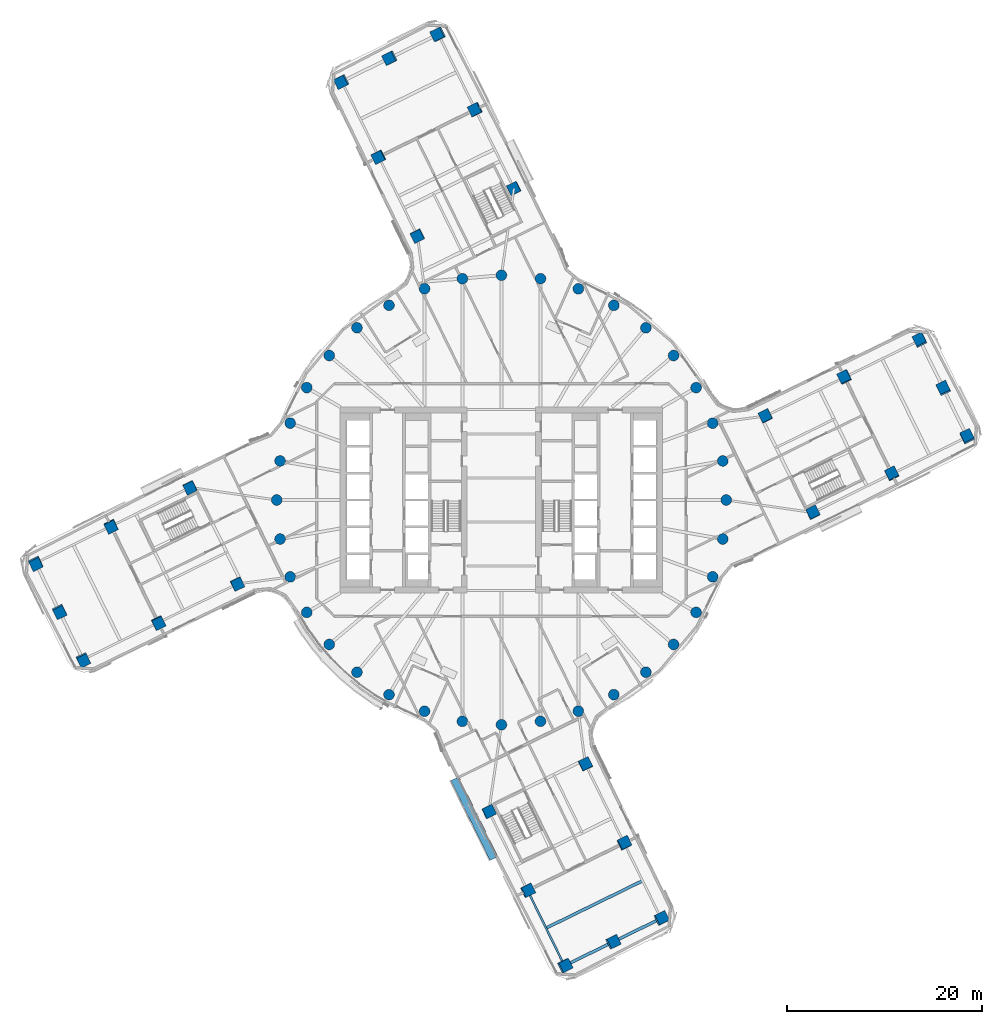
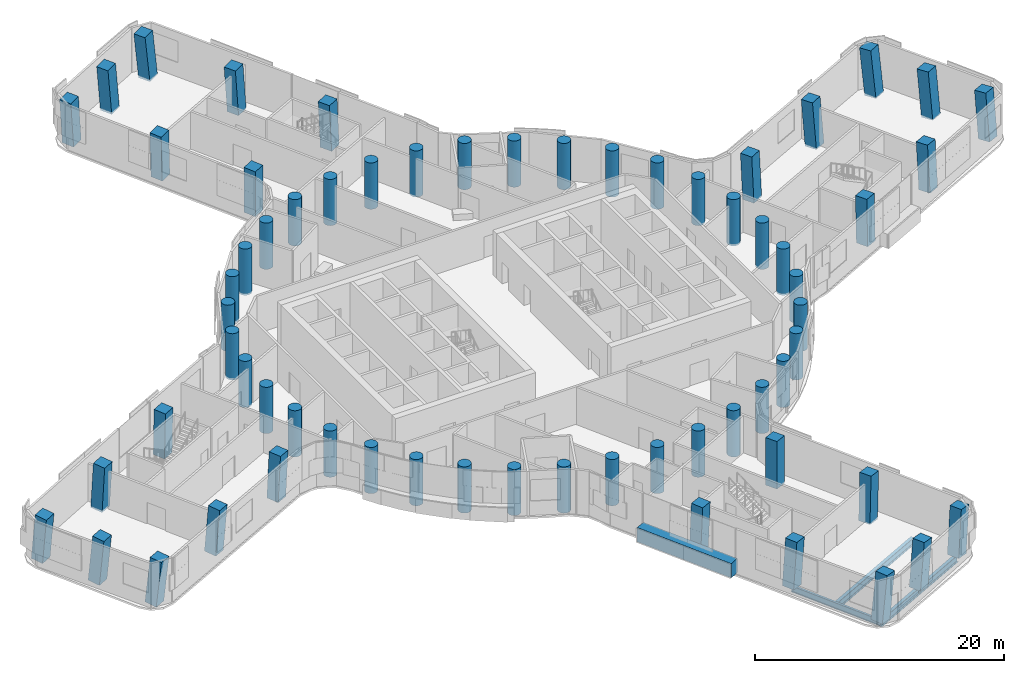
# One storey, part 1 of 23: 64 columns, 4 beams, 1 member, 1 element without a shape of its own.
"""IFC4 building model written with IfcOpenShell, lengths in metres."""

from ifc_helpers import new_model, si_unit, direction, frame, origin, origin_2d, place, context, subcontext, project, spatial, polyline, rectangle, circle, i_section, outline, extrude, material, layer, layer_set, material_profile, profile_set, type_object, element, aggregate, save


model = new_model("IFC4")

# Units and contexts
model_context = context("Model", 3, precision=1e-05, world=origin(), true_north=direction((0.0, 1.0)))
body_context = subcontext(model_context, "Body", "Model", "MODEL_VIEW")
ifc_project = project(units=[si_unit("LENGTHUNIT", "METRE"), si_unit("AREAUNIT", "SQUARE_METRE"), si_unit("VOLUMEUNIT", "CUBIC_METRE"), si_unit("PLANEANGLEUNIT", "RADIAN"), si_unit("MASSUNIT", "GRAM", prefix="KILO")], contexts=[model_context])

# Site, building, storey
site_placement = place(None, origin())
site = spatial("IfcSite", under=ifc_project, at=site_placement, CompositionType="ELEMENT")
building_placement = place(site_placement, origin())
building = spatial("IfcBuilding", under=site, at=building_placement, Name="Tamarind Cross Interchange Tower", CompositionType="ELEMENT")
storey_placement = place(building_placement, frame((0.0, 0.0, 128.5)))
storey = spatial("IfcBuildingStorey", under=building, at=storey_placement, Name="L31", CompositionType="ELEMENT", Elevation=128.5)

# Columns
ifc_material_1 = material(Name="Concrete C65", Category="concrete")
ifc_material_profile_1 = material_profile(ifc_material_1, rectangle(XDim=1.10009765625, YDim=1.10009765625, at=origin_2d()), Name="RC 1100x1100")
ifc_profile_set_1 = profile_set([ifc_material_profile_1], Name="Concrete C65")
column_type_1 = type_object("IfcColumnType", Name="Column RC 1100x1100 Concrete C65", PredefinedType="COLUMN", material=ifc_profile_set_1)
for number, where, z_axis, x_axis, name in (
    (1, (35.111572265625, 12.554931640625, -0.173583984375), (-0.0507738991, 0.052064760942, 0.997352130312), (0.438527204823, -0.896057388024, 0.069101722103), "Column L31-036"),
    (2, (39.95458984375, 2.678466796875, -0.173095703125), (-0.011402585225, 0.071857801227, 0.997349706699), (-0.897913800765, -0.439650311554, 0.021410510191), "Column L31-037"),
):
    element("IfcColumn", number, at=place(storey_placement, frame(where, z_axis=z_axis, x_axis=x_axis)), inside=storey, type_object=column_type_1, Name=name, PredefinedType="COLUMN", context=body_context, shape_type="SweptSolid", body=[
        extrude(rectangle(XDim=1.10009765625, YDim=1.10009765625, at=origin_2d()), origin(), (0.0, 0.0, 1.0), 4.5390625),
    ])
column_1_placement = place(storey_placement, frame((27.03076171875, 8.592529296875, -0.175537109375), z_axis=(-0.034670563609, 0.019865586913, 0.999201336306), x_axis=(0.439917045338, -0.897427963586, 0.033106546108)))
element("IfcColumn", 3, at=column_1_placement, inside=storey, type_object=column_type_1, Name="Column L31-038", PredefinedType="COLUMN", context=body_context, shape_type="SweptSolid", body=[
    extrude(rectangle(XDim=1.10009765625, YDim=1.10009765625, at=origin_2d()), origin(), (0.0, 0.0, 1.0), 4.534912109375),
])
column_2_placement = place(storey_placement, frame((31.873779296875, -1.283935546875, -0.175537109375), z_axis=(0.004791169749, 0.039675192191, 0.999201142822), x_axis=(-0.897803468295, -0.43985791276, 0.021770367458)))
element("IfcColumn", 4, at=column_2_placement, inside=storey, type_object=column_type_1, Name="Column L31-039", PredefinedType="COLUMN", context=body_context, shape_type="SweptSolid", body=[
    extrude(rectangle(XDim=1.10009765625, YDim=1.10009765625, at=origin_2d()), origin(), (0.0, 0.0, 1.0), 4.53515625),
])
column_3_placement = place(storey_placement, frame((47.65869140625, 6.456787109375, -0.170654296875), z_axis=(-0.016691478042, 0.107340694803, 0.994082174571), x_axis=(-0.898142041608, -0.438519643554, 0.032270657173)))
element("IfcColumn", 5, at=column_3_placement, inside=storey, type_object=column_type_1, Name="Column L31-040", PredefinedType="COLUMN", context=body_context, shape_type="SweptSolid", body=[
    extrude(rectangle(XDim=1.10009765625, YDim=1.10009765625, at=origin_2d()), origin(), (0.0, 0.0, 1.0), 4.548828125),
])
column_4_placement = place(storey_placement, frame((45.237060546875, 11.394775390625, -0.171875), z_axis=(-0.036332874854, 0.097567454187, 0.994565490095), x_axis=(-0.898109998916, -0.439649762266, 0.010320677667)))
element("IfcColumn", 6, at=column_4_placement, inside=storey, type_object=column_type_1, Name="Column L31-041", PredefinedType="COLUMN", context=body_context, shape_type="SweptSolid", body=[
    extrude(rectangle(XDim=1.10009765625, YDim=1.10009765625, at=origin_2d()), origin(), (0.0, 0.0, 1.0), 4.549072265625),
])
column_5_placement = place(storey_placement, frame((42.815673828125, 16.3330078125, -0.172119140625), z_axis=(-0.055978610852, 0.087698034643, 0.994572998752), x_axis=(0.437365726598, -0.89332100116, 0.103386701675)))
element("IfcColumn", 7, at=column_5_placement, inside=storey, type_object=column_type_1, Name="Column L31-042", PredefinedType="COLUMN", context=body_context, shape_type="SweptSolid", body=[
    extrude(rectangle(XDim=1.10009765625, YDim=1.10009765625, at=origin_2d()), origin(), (0.0, 0.0, 1.0), 4.548828125),
])
for number, where, z_axis, x_axis, name in (
    (8, (-12.554931640625, 35.111572265625, -0.173583984375), (-0.052064760942, -0.0507738991, 0.997352130312), (0.896057388024, 0.438527204823, 0.069101722103), "Column L31-043"),
    (9, (-2.678466796875, 39.95458984375, -0.173095703125), (-0.071857801227, -0.011402585225, 0.997349706699), (0.439650311554, -0.897913800765, 0.021410510191), "Column L31-044"),
):
    element("IfcColumn", number, at=place(storey_placement, frame(where, z_axis=z_axis, x_axis=x_axis)), inside=storey, type_object=column_type_1, Name=name, PredefinedType="COLUMN", context=body_context, shape_type="SweptSolid", body=[
        extrude(rectangle(XDim=1.10009765625, YDim=1.10009765625, at=origin_2d()), origin(), (0.0, 0.0, 1.0), 4.5390625),
    ])
column_6_placement = place(storey_placement, frame((-8.592529296875, 27.03076171875, -0.175537109375), z_axis=(-0.019865586913, -0.034670563609, 0.999201336306), x_axis=(0.897427963586, 0.439917045338, 0.033106546108)))
element("IfcColumn", 10, at=column_6_placement, inside=storey, type_object=column_type_1, Name="Column L31-045", PredefinedType="COLUMN", context=body_context, shape_type="SweptSolid", body=[
    extrude(rectangle(XDim=1.10009765625, YDim=1.10009765625, at=origin_2d()), origin(), (0.0, 0.0, 1.0), 4.534912109375),
])
column_7_placement = place(storey_placement, frame((1.283935546875, 31.873779296875, -0.175537109375), z_axis=(-0.039675192191, 0.004791169749, 0.999201142822), x_axis=(0.43985791276, -0.897803468295, 0.021770367458)))
element("IfcColumn", 11, at=column_7_placement, inside=storey, type_object=column_type_1, Name="Column L31-046", PredefinedType="COLUMN", context=body_context, shape_type="SweptSolid", body=[
    extrude(rectangle(XDim=1.10009765625, YDim=1.10009765625, at=origin_2d()), origin(), (0.0, 0.0, 1.0), 4.53515625),
])
column_8_placement = place(storey_placement, frame((-6.456787109375, 47.65869140625, -0.170654296875), z_axis=(-0.107340694803, -0.016691478042, 0.994082174571), x_axis=(0.438519643554, -0.898142041608, 0.032270657173)))
element("IfcColumn", 12, at=column_8_placement, inside=storey, type_object=column_type_1, Name="Column L31-047", PredefinedType="COLUMN", context=body_context, shape_type="SweptSolid", body=[
    extrude(rectangle(XDim=1.10009765625, YDim=1.10009765625, at=origin_2d()), origin(), (0.0, 0.0, 1.0), 4.548828125),
])
column_9_placement = place(storey_placement, frame((-11.394775390625, 45.237060546875, -0.171875), z_axis=(-0.097567454187, -0.036332874854, 0.994565490095), x_axis=(0.439649762266, -0.898109998916, 0.010320677667)))
element("IfcColumn", 13, at=column_9_placement, inside=storey, type_object=column_type_1, Name="Column L31-048", PredefinedType="COLUMN", context=body_context, shape_type="SweptSolid", body=[
    extrude(rectangle(XDim=1.10009765625, YDim=1.10009765625, at=origin_2d()), origin(), (0.0, 0.0, 1.0), 4.549072265625),
])
column_10_placement = place(storey_placement, frame((-16.3330078125, 42.815673828125, -0.172119140625), z_axis=(-0.087698034643, -0.055978610852, 0.994572998752), x_axis=(0.89332100116, 0.437365726598, 0.103386701675)))
element("IfcColumn", 14, at=column_10_placement, inside=storey, type_object=column_type_1, Name="Column L31-049", PredefinedType="COLUMN", context=body_context, shape_type="SweptSolid", body=[
    extrude(rectangle(XDim=1.10009765625, YDim=1.10009765625, at=origin_2d()), origin(), (0.0, 0.0, 1.0), 4.548828125),
])
for number, where, z_axis, x_axis, name in (
    (15, (-35.111572265625, -12.554931640625, -0.173583984375), (0.0507738991, -0.052064760942, 0.997352130312), (-0.438527204823, 0.896057388024, 0.069101722103), "Column L31-050"),
    (16, (-39.95458984375, -2.678466796875, -0.173095703125), (0.011402585225, -0.071857801227, 0.997349706699), (0.897913800765, 0.439650311554, 0.021410510191), "Column L31-051"),
):
    element("IfcColumn", number, at=place(storey_placement, frame(where, z_axis=z_axis, x_axis=x_axis)), inside=storey, type_object=column_type_1, Name=name, PredefinedType="COLUMN", context=body_context, shape_type="SweptSolid", body=[
        extrude(rectangle(XDim=1.10009765625, YDim=1.10009765625, at=origin_2d()), origin(), (0.0, 0.0, 1.0), 4.5390625),
    ])
column_11_placement = place(storey_placement, frame((-27.03076171875, -8.592529296875, -0.175537109375), z_axis=(0.034670563609, -0.019865586913, 0.999201336306), x_axis=(-0.439917045338, 0.897427963586, 0.033106546108)))
element("IfcColumn", 17, at=column_11_placement, inside=storey, type_object=column_type_1, Name="Column L31-052", PredefinedType="COLUMN", context=body_context, shape_type="SweptSolid", body=[
    extrude(rectangle(XDim=1.10009765625, YDim=1.10009765625, at=origin_2d()), origin(), (0.0, 0.0, 1.0), 4.534912109375),
])
column_12_placement = place(storey_placement, frame((-31.873779296875, 1.283935546875, -0.175537109375), z_axis=(-0.004791169749, -0.039675192191, 0.999201142822), x_axis=(0.897803468295, 0.43985791276, 0.021770367458)))
element("IfcColumn", 18, at=column_12_placement, inside=storey, type_object=column_type_1, Name="Column L31-053", PredefinedType="COLUMN", context=body_context, shape_type="SweptSolid", body=[
    extrude(rectangle(XDim=1.10009765625, YDim=1.10009765625, at=origin_2d()), origin(), (0.0, 0.0, 1.0), 4.53515625),
])
column_13_placement = place(storey_placement, frame((-47.65869140625, -6.456787109375, -0.170654296875), z_axis=(0.016691478042, -0.107340694803, 0.994082174571), x_axis=(0.898142041608, 0.438519643554, 0.032270657173)))
element("IfcColumn", 19, at=column_13_placement, inside=storey, type_object=column_type_1, Name="Column L31-054", PredefinedType="COLUMN", context=body_context, shape_type="SweptSolid", body=[
    extrude(rectangle(XDim=1.10009765625, YDim=1.10009765625, at=origin_2d()), origin(), (0.0, 0.0, 1.0), 4.548828125),
])
column_14_placement = place(storey_placement, frame((-45.237060546875, -11.394775390625, -0.171875), z_axis=(0.036332874854, -0.097567454187, 0.994565490095), x_axis=(0.898109998916, 0.439649762266, 0.010320677667)))
element("IfcColumn", 20, at=column_14_placement, inside=storey, type_object=column_type_1, Name="Column L31-055", PredefinedType="COLUMN", context=body_context, shape_type="SweptSolid", body=[
    extrude(rectangle(XDim=1.10009765625, YDim=1.10009765625, at=origin_2d()), origin(), (0.0, 0.0, 1.0), 4.549072265625),
])
column_15_placement = place(storey_placement, frame((-42.815673828125, -16.3330078125, -0.172119140625), z_axis=(0.055978610852, -0.087698034643, 0.994572998752), x_axis=(-0.437365726598, 0.89332100116, 0.103386701675)))
element("IfcColumn", 21, at=column_15_placement, inside=storey, type_object=column_type_1, Name="Column L31-056", PredefinedType="COLUMN", context=body_context, shape_type="SweptSolid", body=[
    extrude(rectangle(XDim=1.10009765625, YDim=1.10009765625, at=origin_2d()), origin(), (0.0, 0.0, 1.0), 4.548828125),
])
for number, where, z_axis, x_axis, name in (
    (22, (12.554931640625, -35.111572265625, -0.173583984375), (0.052064760942, 0.0507738991, 0.997352130312), (-0.896057388024, -0.438527204823, 0.069101722103), "Column L31-057"),
    (23, (2.678466796875, -39.95458984375, -0.173095703125), (0.071857801227, 0.011402585225, 0.997349706699), (-0.439650311554, 0.897913800765, 0.021410510191), "Column L31-058"),
):
    element("IfcColumn", number, at=place(storey_placement, frame(where, z_axis=z_axis, x_axis=x_axis)), inside=storey, type_object=column_type_1, Name=name, PredefinedType="COLUMN", context=body_context, shape_type="SweptSolid", body=[
        extrude(rectangle(XDim=1.10009765625, YDim=1.10009765625, at=origin_2d()), origin(), (0.0, 0.0, 1.0), 4.5390625),
    ])
column_16_placement = place(storey_placement, frame((8.592529296875, -27.03076171875, -0.175537109375), z_axis=(0.019865586913, 0.034670563609, 0.999201336306), x_axis=(-0.897427963586, -0.439917045338, 0.033106546108)))
element("IfcColumn", 24, at=column_16_placement, inside=storey, type_object=column_type_1, Name="Column L31-059", PredefinedType="COLUMN", context=body_context, shape_type="SweptSolid", body=[
    extrude(rectangle(XDim=1.10009765625, YDim=1.10009765625, at=origin_2d()), origin(), (0.0, 0.0, 1.0), 4.534912109375),
])
column_17_placement = place(storey_placement, frame((-1.283935546875, -31.873779296875, -0.175537109375), z_axis=(0.039675192191, -0.004791169749, 0.999201142822), x_axis=(-0.43985791276, 0.897803468295, 0.021770367458)))
element("IfcColumn", 25, at=column_17_placement, inside=storey, type_object=column_type_1, Name="Column L31-060", PredefinedType="COLUMN", context=body_context, shape_type="SweptSolid", body=[
    extrude(rectangle(XDim=1.10009765625, YDim=1.10009765625, at=origin_2d()), origin(), (0.0, 0.0, 1.0), 4.53515625),
])
column_18_placement = place(storey_placement, frame((6.456787109375, -47.65869140625, -0.170654296875), z_axis=(0.107340694803, 0.016691478042, 0.994082174571), x_axis=(-0.438519643554, 0.898142041608, 0.032270657173)))
element("IfcColumn", 26, at=column_18_placement, inside=storey, type_object=column_type_1, Name="Column L31-061", PredefinedType="COLUMN", context=body_context, shape_type="SweptSolid", body=[
    extrude(rectangle(XDim=1.10009765625, YDim=1.10009765625, at=origin_2d()), origin(), (0.0, 0.0, 1.0), 4.548828125),
])
column_19_placement = place(storey_placement, frame((11.394775390625, -45.237060546875, -0.171875), z_axis=(0.097567454187, 0.036332874854, 0.994565490095), x_axis=(-0.439649762266, 0.898109998916, 0.010320677667)))
element("IfcColumn", 27, at=column_19_placement, inside=storey, type_object=column_type_1, Name="Column L31-062", PredefinedType="COLUMN", context=body_context, shape_type="SweptSolid", body=[
    extrude(rectangle(XDim=1.10009765625, YDim=1.10009765625, at=origin_2d()), origin(), (0.0, 0.0, 1.0), 4.549072265625),
])
column_20_placement = place(storey_placement, frame((16.3330078125, -42.815673828125, -0.172119140625), z_axis=(0.087698034643, 0.055978610852, 0.994572998752), x_axis=(-0.89332100116, -0.437365726598, 0.103386701675)))
element("IfcColumn", 28, at=column_20_placement, inside=storey, type_object=column_type_1, Name="Column L31-063", PredefinedType="COLUMN", context=body_context, shape_type="SweptSolid", body=[
    extrude(rectangle(XDim=1.10009765625, YDim=1.10009765625, at=origin_2d()), origin(), (0.0, 0.0, 1.0), 4.548828125),
])
ifc_material_profile_2 = material_profile(ifc_material_1, circle(Radius=0.550048828125, at=origin_2d()), Name="RC D1100")
ifc_profile_set_2 = profile_set([ifc_material_profile_2], Name="Concrete C65")
column_type_2 = type_object("IfcColumnType", Name="Column RC D1100 Concrete C65", PredefinedType="COLUMN", material=ifc_profile_set_2)
for number, where, z_axis, x_axis, name in (
    (29, (23.0, 0.0, -0.179931640625), (0.0, 0.0, 1.0), (1.0, 0.0, 0.0), "Column L31-000"),
    (30, (22.650634765625, 3.993896484375, -0.179931640625), (0.0, 0.0, 1.0), (1.0, 0.0, 0.0), "Column L31-001"),
    (31, (21.613037109375, 7.866455078125, -0.179931640625), (0.0, 0.0, 1.0), (1.0, 0.0, 0.0), "Column L31-002"),
    (32, (19.918701171875, 11.5, -0.179931640625), (0.0, 0.0, 1.0), (1.0, 0.0, 0.0), "Column L31-003"),
    (33, (17.619140625, 14.7841796875, -0.179931640625), (0.0, 0.0, 1.0), (1.0, 0.0, 0.0), "Column L31-004"),
    (34, (14.7841796875, 17.619140625, -0.179931640625), (0.0, 0.0, 1.0), (1.0, 0.0, 0.0), "Column L31-005"),
    (35, (11.5, 19.918701171875, -0.179931640625), (0.0, 0.0, 1.0), (1.0, 0.0, 0.0), "Column L31-006"),
    (36, (7.866455078125, 21.613037109375, -0.179931640625), (0.0, 0.0, 1.0), (1.0, 0.0, 0.0), "Column L31-007"),
    (37, (3.993896484375, 22.650634765625, -0.179931640625), (0.0, 0.0, 1.0), (1.0, 0.0, 0.0), "Column L31-008"),
    (38, (0.0, 23.0, -0.179931640625), (0.0, 0.0, 1.0), (1.0, 0.0, 0.0), "Column L31-009"),
    (39, (-3.993896484375, 22.650634765625, -0.179931640625), (0.0, 0.0, 1.0), (1.0, 0.0, 0.0), "Column L31-010"),
    (40, (-7.866455078125, 21.613037109375, -0.179931640625), (0.0, 0.0, 1.0), (1.0, 0.0, 0.0), "Column L31-011"),
    (41, (-11.5, 19.918701171875, -0.179931640625), (0.0, 0.0, 1.0), (1.0, 0.0, 0.0), "Column L31-012"),
    (42, (-14.7841796875, 17.619140625, -0.179931640625), (0.0, 0.0, 1.0), (1.0, 0.0, 0.0), "Column L31-013"),
    (43, (-17.619140625, 14.7841796875, -0.179931640625), (0.0, 0.0, 1.0), (1.0, 0.0, 0.0), "Column L31-014"),
    (44, (-19.918701171875, 11.5, -0.179931640625), (0.0, 0.0, 1.0), (1.0, 0.0, 0.0), "Column L31-015"),
    (45, (-21.613037109375, 7.866455078125, -0.179931640625), (0.0, 0.0, 1.0), (1.0, 0.0, 0.0), "Column L31-016"),
    (46, (-22.650634765625, 3.993896484375, -0.179931640625), (0.0, 0.0, 1.0), (1.0, 0.0, 0.0), "Column L31-017"),
    (47, (-23.0, 0.0, -0.179931640625), (0.0, 0.0, 1.0), (1.0, 0.0, 0.0), "Column L31-018"),
    (48, (-22.650634765625, -3.993896484375, -0.179931640625), (0.0, 0.0, 1.0), (1.0, 0.0, 0.0), "Column L31-019"),
    (49, (-21.613037109375, -7.866455078125, -0.179931640625), (0.0, 0.0, 1.0), (1.0, 0.0, 0.0), "Column L31-020"),
    (50, (-19.918701171875, -11.5, -0.179931640625), (0.0, 0.0, 1.0), (1.0, 0.0, 0.0), "Column L31-021"),
    (51, (-17.619140625, -14.7841796875, -0.179931640625), (0.0, 0.0, 1.0), (1.0, 0.0, 0.0), "Column L31-022"),
    (52, (-14.7841796875, -17.619140625, -0.179931640625), (0.0, 0.0, 1.0), (1.0, 0.0, 0.0), "Column L31-023"),
    (53, (-11.5, -19.918701171875, -0.179931640625), (0.0, 0.0, 1.0), (1.0, 0.0, 0.0), "Column L31-024"),
    (54, (-7.866455078125, -21.613037109375, -0.179931640625), (0.0, 0.0, 1.0), (1.0, 0.0, 0.0), "Column L31-025"),
    (55, (-3.993896484375, -22.650634765625, -0.179931640625), (0.0, 0.0, 1.0), (1.0, 0.0, 0.0), "Column L31-026"),
    (56, (0.0, -23.0, -0.179931640625), (0.0, 0.0, 1.0), (1.0, 0.0, 0.0), "Column L31-027"),
    (57, (3.993896484375, -22.650634765625, -0.179931640625), (0.0, 0.0, 1.0), (1.0, 0.0, 0.0), "Column L31-028"),
    (58, (7.866455078125, -21.613037109375, -0.179931640625), (0.0, 0.0, 1.0), (1.0, 0.0, 0.0), "Column L31-029"),
    (59, (11.5, -19.918701171875, -0.179931640625), (0.0, 0.0, 1.0), (1.0, 0.0, 0.0), "Column L31-030"),
    (60, (14.7841796875, -17.619140625, -0.179931640625), (0.0, 0.0, 1.0), (1.0, 0.0, 0.0), "Column L31-031"),
    (61, (17.619140625, -14.7841796875, -0.179931640625), (0.0, 0.0, 1.0), (1.0, 0.0, 0.0), "Column L31-032"),
    (62, (19.918701171875, -11.5, -0.179931640625), (0.0, 0.0, 1.0), (1.0, 0.0, 0.0), "Column L31-033"),
    (63, (21.613037109375, -7.866455078125, -0.179931640625), (0.0, 0.0, 1.0), (1.0, 0.0, 0.0), "Column L31-034"),
    (64, (22.650634765625, -3.993896484375, -0.179931640625), (0.0, 0.0, 1.0), (1.0, 0.0, 0.0), "Column L31-035"),
):
    element("IfcColumn", number, at=place(storey_placement, frame(where, z_axis=z_axis, x_axis=x_axis)), inside=storey, type_object=column_type_2, Name=name, PredefinedType="COLUMN", context=body_context, shape_type="SweptSolid", body=[
        extrude(circle(Radius=0.550048828125, at=origin_2d()), origin(), (0.0, 0.0, 1.0), 4.5400390625),
    ])

# Beams
ifc_material_2 = material(Name="Steel Q355B", Category="steel")
ifc_material_profile_3 = material_profile(ifc_material_2, i_section(OverallWidth=0.199951171875, OverallDepth=0.60009765625, WebThickness=0.010986328125, FlangeThickness=0.01708984375, FilletRadius=0.012939453125, at=origin_2d()), Name="HN 600x200x11x17")
ifc_profile_set_3 = profile_set([ifc_material_profile_3], Name="Steel Q355B")
beam_type_1 = type_object("IfcBeamType", Name="Composite beam HN 600x200x11x17 Q355B", PredefinedType="BEAM", material=ifc_profile_set_3)
beam_1_placement = place(storey_placement, frame((6.45556640625, -47.658935546875, -0.47998046875), z_axis=(-0.440246276802, 0.897877060494, 0.0), x_axis=(-0.897877060494, -0.440246276802, 0.0)))
element("IfcBeam", 65, at=beam_1_placement, inside=storey, type_object=beam_type_1, Name="Beam S-edgeem5", PredefinedType="BEAM", context=body_context, shape_type="SweptSolid", body=[
    extrude(i_section(OverallWidth=0.199951171875, OverallDepth=0.60009765625, WebThickness=0.010986328125, FlangeThickness=0.01708984375, FilletRadius=0.012939453125, at=origin_2d()), origin(), (0.0, 0.0, 1.0), 8.58056640625),
])
ifc_material_profile_4 = material_profile(ifc_material_2, i_section(OverallWidth=0.300048828125, OverallDepth=0.699951171875, WebThickness=0.012939453125, FlangeThickness=0.02392578125, FilletRadius=0.01806640625, at=origin_2d()), Name="HN 700x300x13x24")
ifc_profile_set_4 = profile_set([ifc_material_profile_4], Name="Steel Q355B")
beam_type_2 = type_object("IfcBeamType", Name="Composite beam HN 700x300x13x24 Q355B", PredefinedType="BEAM", material=ifc_profile_set_4)
beam_2_placement = place(storey_placement, frame((6.45556640625, -47.658935546875, -0.530029296875), z_axis=(0.897880128534, 0.440240019517, 0.0), x_axis=(-0.440240019517, 0.897880128534, 0.0)))
element("IfcBeam", 66, at=beam_2_placement, inside=storey, type_object=beam_type_2, Name="Beam S-tip0", PredefinedType="BEAM", context=body_context, shape_type="SweptSolid", body=[
    extrude(i_section(OverallWidth=0.300048828125, OverallDepth=0.699951171875, WebThickness=0.012939453125, FlangeThickness=0.02392578125, FilletRadius=0.01806640625, at=origin_2d()), origin(), (0.0, 0.0, 1.0), 5.500244140625),
])
beam_3_placement = place(storey_placement, frame((11.39404296875, -45.237548828125, -0.530029296875), z_axis=(0.897871525128, 0.440257565937, 0.0), x_axis=(-0.440257565937, 0.897871525128, 0.0)))
element("IfcBeam", 67, at=beam_3_placement, inside=storey, type_object=beam_type_2, Name="Beam S-tip1", PredefinedType="BEAM", context=body_context, shape_type="SweptSolid", body=[
    extrude(i_section(OverallWidth=0.300048828125, OverallDepth=0.699951171875, WebThickness=0.012939453125, FlangeThickness=0.02392578125, FilletRadius=0.01806640625, at=origin_2d()), origin(), (0.0, 0.0, 1.0), 5.5),
])
beam_4_placement = place(storey_placement, frame((4.56689453125, -43.806640625, -0.530029296875), z_axis=(0.897871525128, 0.440257565937, 0.0), x_axis=(-0.440257565937, 0.897871525128, 0.0)))
element("IfcBeam", 68, at=beam_4_placement, inside=storey, type_object=beam_type_2, Name="Beam S-x436", PredefinedType="BEAM", context=body_context, shape_type="SweptSolid", body=[
    extrude(i_section(OverallWidth=0.300048828125, OverallDepth=0.699951171875, WebThickness=0.012939453125, FlangeThickness=0.02392578125, FilletRadius=0.01806640625, at=origin_2d()), origin(), (0.0, 0.0, 1.0), 10.999755859375),
])

# Curtain wall, member
ifc_material_3 = material(Name="Aluminium 6063-T6", Category="aluminium")
ifc_layer = layer(ifc_material_3, 0.179931640625)
ifc_layer_set = layer_set([ifc_layer], Name="Aluminium 6063-T6")
curtain_wall_type = type_object("IfcCurtainWallType", Name="Sky lobby curtain wall, fire-resisting glazing", PredefinedType="NOTDEFINED", material=ifc_layer_set)
curtain_wall_placement = place(storey_placement, origin())
curtain_wall = element("IfcCurtainWall", 69, at=curtain_wall_placement, inside=storey, type_object=curtain_wall_type, Name="CWS-L31-03", PredefinedType="NOTDEFINED")
ifc_material_4 = material(Name="Aluminium and insulated spandrel panel", Category="aluminium")
member_type = type_object("IfcMemberType", Name="Floor-edge blade transom", PredefinedType="USERDEFINED", material=ifc_material_4)
member_placement = place(storey_placement, origin())
member = element("IfcMember", 70, at=member_placement, type_object=member_type, Name="CWT-L31-03-0", ObjectType="TRANSOM", PredefinedType="USERDEFINED", context=body_context, shape_type="SweptSolid", body=[
    extrude(outline(polyline([(-4.35498046875, -28.336669921875), (-0.366943359375, -36.469970703125), (-1.16259765625, -36.8916015625), (-5.17919921875, -28.699951171875), (-4.35498046875, -28.336669921875)])), origin(), (0.0, 0.0, 1.0), 1.39990234375),
])
aggregate(curtain_wall, [member])

save(model, "model.ifc")
